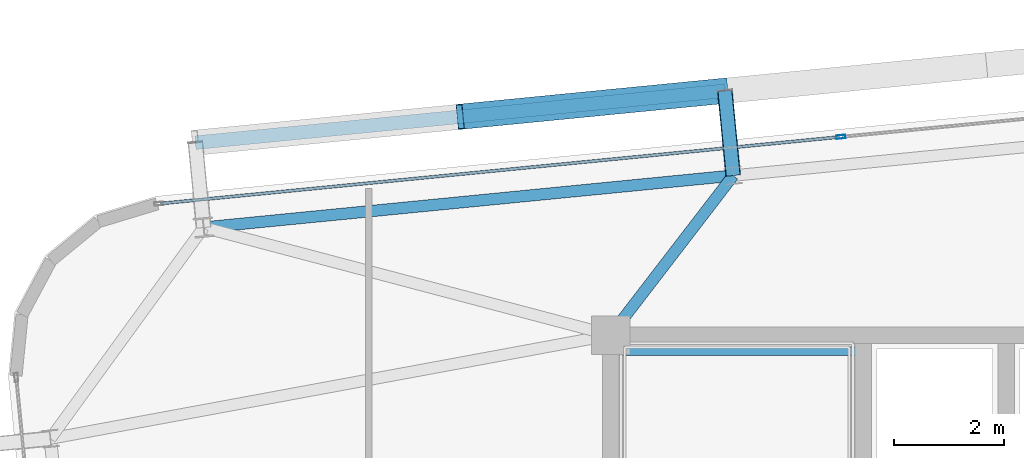
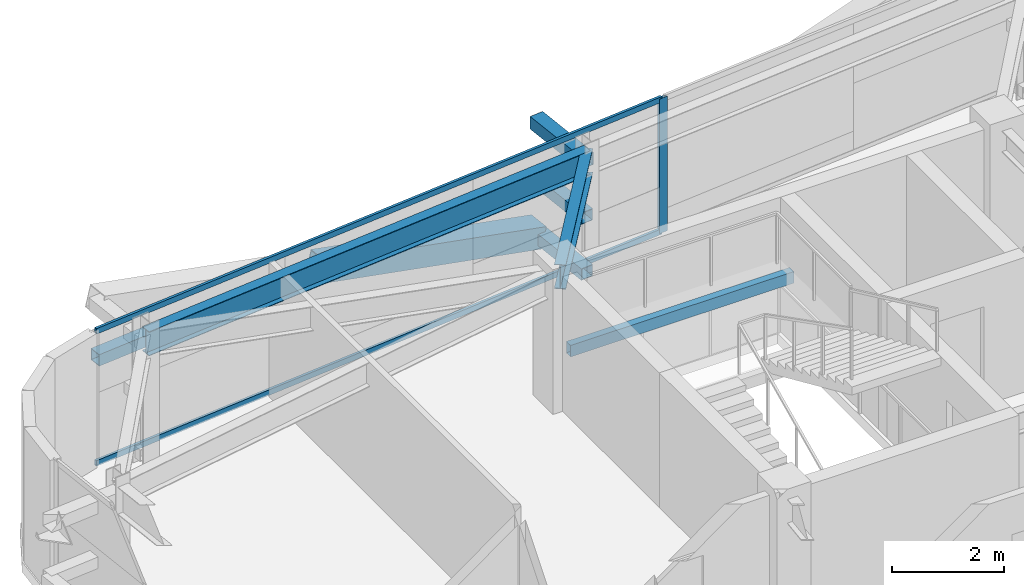
# One storey, part 25 of 47: 8 members, 3 beams, 1 element without a shape of its own.
"""IFC4 building model written with IfcOpenShell, lengths in metres."""

from ifc_helpers import new_model, si_unit, direction, frame, origin, origin_2d, place, context, subcontext, project, spatial, hollow_rectangle, i_section, extrude, source, transform, mapped, material, layer, layer_set, material_profile, profile_set, type_object, element, aggregate, save


model = new_model("IFC4")

# Units and contexts
model_context = context("Model", 3, precision=1e-05, world=origin(), true_north=direction((0.0, 1.0)))
body_context = subcontext(model_context, "Body", "Model", "MODEL_VIEW")
ifc_project = project(units=[si_unit("LENGTHUNIT", "METRE"), si_unit("AREAUNIT", "SQUARE_METRE"), si_unit("VOLUMEUNIT", "CUBIC_METRE"), si_unit("PLANEANGLEUNIT", "RADIAN"), si_unit("MASSUNIT", "GRAM", prefix="KILO")], contexts=[model_context])

# Site, building, storey
site_placement = place(None, origin())
site = spatial("IfcSite", under=ifc_project, at=site_placement, CompositionType="ELEMENT")
building_placement = place(site_placement, origin())
building = spatial("IfcBuilding", under=site, at=building_placement, Name="Taldren Reach Tower", CompositionType="ELEMENT")
storey_placement = place(building_placement, frame((0.0, 0.0, 90.300048828125)))
storey = spatial("IfcBuildingStorey", under=building, at=storey_placement, Name="L27", CompositionType="ELEMENT", Elevation=90.300048828125)

# Beams
ifc_material_1 = material(Name="Steel Gr 350 (350PLUS)", Category="steel")
ifc_material_profile_1 = material_profile(ifc_material_1, i_section(OverallWidth=0.208984375, OverallDepth=0.528076171875, WebThickness=0.009521484375, FlangeThickness=0.01318359375, at=origin_2d()), Name="530UB82.0")
ifc_profile_set_1 = profile_set([ifc_material_profile_1], Name="Steel Gr 350 (350PLUS)")
beam_type_1 = type_object("IfcBeamType", Name="SP-UB530B", PredefinedType="SPANDREL", material=ifc_profile_set_1)
shared_shape_1 = source(origin(), body_context, "Body", "SweptSolid", [
    extrude(i_section(OverallWidth=0.208984375, OverallDepth=0.528076171875, WebThickness=0.009521484375, FlangeThickness=0.01318359375, at=origin_2d()), origin(), (0.0, 0.0, 1.0), 9.679931640625),
])
beam_1_placement = place(storey_placement, frame((21.230712890625, 34.9013671875, 2.666015625), z_axis=(-0.995227612658, -0.097580730699, 0.0), x_axis=(0.097580730699, -0.995227612658, 0.0)))
element("IfcBeam", 1, at=beam_1_placement, inside=storey, type_object=beam_type_1, Name="Perimeter spandrel B2 N2-N1 L27", PredefinedType="SPANDREL", context=body_context, shape_type="MappedRepresentation", body=[
    mapped(shared_shape_1, transform((0.0, 0.0, 0.0), scale=1.0)),
])
ifc_material_profile_2 = material_profile(ifc_material_1, i_section(OverallWidth=0.208984375, OverallDepth=0.532958984375, WebThickness=0.01025390625, FlangeThickness=0.015625, at=origin_2d()), Name="530UB92.4")
ifc_profile_set_2 = profile_set([ifc_material_profile_2], Name="Steel Gr 350 (350PLUS)")
beam_type_2 = type_object("IfcBeamType", Name="BM-UB530A", PredefinedType="BEAM", material=ifc_profile_set_2)
shared_shape_2 = source(origin(), body_context, "Body", "SweptSolid", [
    extrude(i_section(OverallWidth=0.208984375, OverallDepth=0.532958984375, WebThickness=0.01025390625, FlangeThickness=0.015625, at=origin_2d()), origin(), (0.0, 0.0, 1.0), 3.65966796875),
])
beam_2_placement = place(storey_placement, frame((19.0, 32.0, 2.663330078125), z_axis=(0.609520535722, 0.792770279799, 0.0), x_axis=(-0.792770279799, 0.609520535722, 0.0)))
element("IfcBeam", 2, at=beam_2_placement, inside=storey, type_object=beam_type_2, Name="Primary floor girder B2-N2 L27", PredefinedType="BEAM", context=body_context, shape_type="MappedRepresentation", body=[
    mapped(shared_shape_2, transform((0.0, 0.0, 0.0), scale=1.0)),
])

# Members
ifc_material_2 = material(Name="Steel Gr 450 (C450L0)", Category="steel")
ifc_material_profile_3 = material_profile(ifc_material_2, hollow_rectangle(XDim=0.27490234375, YDim=0.27490234375, WallThickness=0.00927734375, at=origin_2d()), Name="275x275x9.3SHS")
ifc_profile_set_3 = profile_set([ifc_material_profile_3], Name="Steel Gr 450 (C450L0)")
member_type_1 = type_object("IfcMemberType", Name="MB-TIE273", PredefinedType="STRUT", material=ifc_profile_set_3)
shared_shape_3 = source(origin(), body_context, "Body", "SweptSolid", [
    extrude(hollow_rectangle(XDim=0.27490234375, YDim=0.27490234375, WallThickness=0.00927734375, at=origin_2d()), origin(), (0.0, 0.0, 1.0), 1.550048828125),
])
member_1_placement = place(storey_placement, frame((21.230712890625, 34.9013671875, 2.64990234375), z_axis=(-0.097647892962, 0.9952210252, 0.0), x_axis=(-0.9952210252, -0.097647892962, 0.0)))
element("IfcMember", 3, at=member_1_placement, inside=storey, type_object=member_type_1, Name="Exoskeleton diaphragm tie strut B2-N2 L27", PredefinedType="STRUT", context=body_context, shape_type="MappedRepresentation", body=[
    mapped(shared_shape_3, transform((0.0, 0.0, 0.0), scale=1.0)),
])
ifc_material_profile_4 = material_profile(ifc_material_2, hollow_rectangle(XDim=0.4599609375, YDim=0.4599609375, WallThickness=0.01611328125, at=origin_2d()), Name="460x460x16.0SHS")
ifc_profile_set_4 = profile_set([ifc_material_profile_4], Name="Steel Gr 450 (C450L0)")
member_type_2 = type_object("IfcMemberType", Name="MB-EXO457", PredefinedType="BRACE", material=ifc_profile_set_4)
shared_shape_4 = source(origin(), body_context, "Body", "SweptSolid", [
    extrude(hollow_rectangle(XDim=0.4599609375, YDim=0.4599609375, WallThickness=0.01611328125, at=origin_2d()), origin(), (0.0, 0.0, 1.0), 4.990234375),
])
member_2_placement = place(storey_placement, frame((21.079345703125, 36.444091796875, 0.219970703125), z_axis=(-0.965271056716, -0.094667992638, 0.243494883389), x_axis=(0.097605711627, -0.995225162995, 0.0)))
element("IfcMember", 4, at=member_2_placement, inside=storey, type_object=member_type_2, Name="Exoskeleton Diagrid Brace B2-N1 L27", PredefinedType="BRACE", context=body_context, shape_type="MappedRepresentation", body=[
    mapped(shared_shape_4, transform((0.0, 0.0, 0.0), scale=1.0)),
])
ifc_material_3 = material(Name="Steel Gr 350 (C350L0)", Category="steel")
ifc_material_profile_5 = material_profile(ifc_material_3, hollow_rectangle(XDim=0.25, YDim=0.25, WallThickness=0.010009765625, at=origin_2d()), Name="250x250x10.0SHS")
ifc_profile_set_5 = profile_set([ifc_material_profile_5], Name="Steel Gr 350 (C350L0)")
member_type_3 = type_object("IfcMemberType", Name="MB-POST250", PredefinedType="POST", material=ifc_profile_set_5)
shared_shape_5 = source(origin(), body_context, "Body", "SweptSolid", [
    extrude(hollow_rectangle(XDim=0.25, YDim=0.25, WallThickness=0.010009765625, at=origin_2d()), origin(), (0.0, 0.0, 1.0), 9.679931640625),
])
member_3_placement = place(storey_placement, frame((11.445556640625, 35.49951171875, 1.43505859375), z_axis=(0.995227612658, 0.097580730699, 0.0), x_axis=(-0.097580730699, 0.995227612658, 0.0)))
element("IfcMember", 5, at=member_3_placement, inside=storey, type_object=member_type_3, Name="Exoskeleton mid-height ring chord B2-N1 L27", PredefinedType="POST", context=body_context, shape_type="MappedRepresentation", body=[
    mapped(shared_shape_5, transform((0.0, 0.0, 0.0), scale=1.0)),
])
shared_shape_6 = source(origin(), body_context, "Body", "SweptSolid", [
    extrude(hollow_rectangle(XDim=0.25, YDim=0.25, WallThickness=0.010009765625, at=origin_2d()), origin(), (0.0, 0.0, 1.0), 1.550048828125),
])
for number, where, z_axis, x_axis, name in (
    (6, (21.230712890625, 34.9013671875, 0.219970703125), (-0.097647892962, 0.9952210252, 0.0), (-0.9952210252, -0.097647892962, 0.0), "Exoskeleton base diaphragm tie strut B2-N2 L27"),
    (7, (21.230712890625, 34.9013671875, 1.43505859375), (-0.097647892962, 0.9952210252, 0.0), (-0.9952210252, -0.097647892962, 0.0), "Exoskeleton mid-tier diaphragm tie B2-N2 L27"),
):
    element("IfcMember", number, at=place(storey_placement, frame(where, z_axis=z_axis, x_axis=x_axis)), inside=storey, type_object=member_type_3, Name=name, PredefinedType="POST", context=body_context, shape_type="MappedRepresentation", body=[
        mapped(shared_shape_6, transform((0.0, 0.0, 0.0), scale=1.0)),
    ])

# Curtain wall, members
ifc_material_4 = material(Name="Aluminium and Low-E Glass Unitised System", Category="aluminium")
ifc_layer = layer(ifc_material_4, 0.159912109375)
ifc_layer_set = layer_set([ifc_layer], Name="Aluminium and Low-E Glass Unitised System")
curtain_wall_type = type_object("IfcCurtainWallType", Name="CW-SYS-3", PredefinedType="NOTDEFINED", material=ifc_layer_set)
curtain_wall_placement = place(storey_placement, origin())
curtain_wall = element("IfcCurtainWall", 8, at=curtain_wall_placement, inside=storey, type_object=curtain_wall_type, Name="Unitised curtain wall CW-L27-N", PredefinedType="NOTDEFINED")
ifc_material_5 = material(Name="Anodised Aluminium 6063-T6", Category="aluminium")
ifc_material_profile_6 = material_profile(ifc_material_5, hollow_rectangle(XDim=0.06494140625, YDim=0.1650390625, WallThickness=0.00390625, at=origin_2d()), Name="ALU-165x65x4RHS")
ifc_profile_set_6 = profile_set([ifc_material_profile_6], Name="Anodised Aluminium 6063-T6")
member_type_4 = type_object("IfcMemberType", Name="CW-MUL-165", PredefinedType="MULLION", material=ifc_profile_set_6)
shared_shape_7 = source(origin(), body_context, "Body", "SweptSolid", [
    extrude(hollow_rectangle(XDim=0.06494140625, YDim=0.1650390625, WallThickness=0.00390625, at=origin_2d()), origin(), (0.0, 0.0, 1.0), 2.929931640625),
])
member_4_placement = place(storey_placement, frame((23.191162109375, 35.606201171875, 0.0), z_axis=(0.0, 0.0, 1.0), x_axis=(0.097582999046, -0.995227390247, 0.0)))
member_4 = element("IfcMember", 9, at=member_4_placement, type_object=member_type_4, Name="CW-3 mullion 4", PredefinedType="MULLION", context=body_context, shape_type="MappedRepresentation", body=[
    mapped(shared_shape_7, transform((0.0, 0.0, 0.0), scale=1.0)),
])
ifc_material_profile_7 = material_profile(ifc_material_5, hollow_rectangle(XDim=0.054931640625, YDim=0.1201171875, WallThickness=0.0029296875, at=origin_2d()), Name="ALU-120x55x3RHS")
ifc_profile_set_7 = profile_set([ifc_material_profile_7], Name="Anodised Aluminium 6063-T6")
member_type_5 = type_object("IfcMemberType", Name="CW-TRN-135", PredefinedType="USERDEFINED", material=ifc_profile_set_7)
shared_shape_8 = source(origin(), body_context, "Body", "SweptSolid", [
    extrude(hollow_rectangle(XDim=0.054931640625, YDim=0.1201171875, WallThickness=0.0029296875, at=origin_2d()), origin(), (0.0, 0.0, 1.0), 12.40234375),
])
member_5_placement = place(storey_placement, frame((23.158935546875, 35.60302734375, 0.02734375), z_axis=(-0.995227887927, -0.097577923186, 0.0), x_axis=(0.097577923186, -0.995227887927, 0.0)))
member_5 = element("IfcMember", 10, at=member_5_placement, type_object=member_type_5, Name="CW-3 transom 4.1", ObjectType="TRANSOM", PredefinedType="USERDEFINED", context=body_context, shape_type="MappedRepresentation", body=[
    mapped(shared_shape_8, transform((0.0, 0.0, 0.0), scale=1.0)),
])
member_6_placement = place(storey_placement, frame((23.158935546875, 35.60302734375, 2.90234375), z_axis=(-0.995227887927, -0.097577923186, 0.0), x_axis=(0.097577923186, -0.995227887927, 0.0)))
member_6 = element("IfcMember", 11, at=member_6_placement, type_object=member_type_5, Name="CW-3 transom 4.2", ObjectType="TRANSOM", PredefinedType="USERDEFINED", context=body_context, shape_type="MappedRepresentation", body=[
    mapped(shared_shape_8, transform((0.0, 0.0, 0.0), scale=1.0)),
])
aggregate(curtain_wall, [member_4, member_5, member_6])

# Beam
ifc_material_profile_8 = material_profile(ifc_material_3, hollow_rectangle(XDim=0.14990234375, YDim=0.25, WallThickness=0.009033203125, at=origin_2d()), Name="250x150x9.0RHS")
ifc_profile_set_8 = profile_set([ifc_material_profile_8], Name="Steel Gr 350 (C350L0)")
beam_type_3 = type_object("IfcBeamType", Name="LN-RHS250", PredefinedType="LINTEL", material=ifc_profile_set_8)
shared_shape_9 = source(origin(), body_context, "Body", "SweptSolid", [
    extrude(hollow_rectangle(XDim=0.14990234375, YDim=0.25, WallThickness=0.009033203125, at=origin_2d()), origin(), (0.0, 0.0, 1.0), 4.60009765625),
])
beam_3_placement = place(storey_placement, frame((19.0, 31.699951171875, 1.27001953125), z_axis=(1.0, 0.0, 0.0), x_axis=(0.0, 1.0, 0.0)))
element("IfcBeam", 12, at=beam_3_placement, inside=storey, type_object=beam_type_3, Name="Stair half-landing support beam ST1-L27-2", PredefinedType="LINTEL", context=body_context, shape_type="MappedRepresentation", body=[
    mapped(shared_shape_9, transform((0.0, 0.0, 0.0), scale=1.0)),
])

save(model, "model.ifc")
